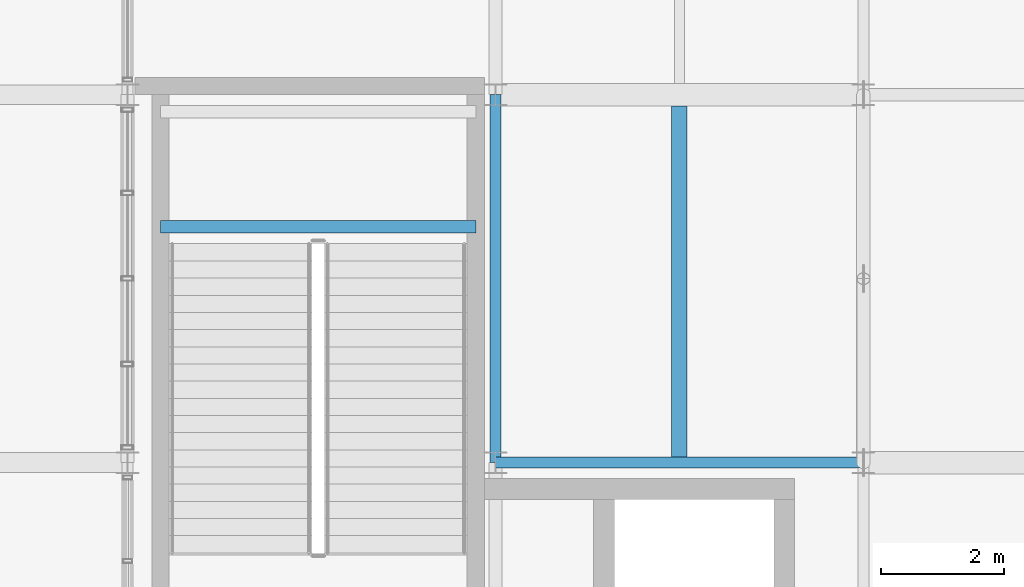
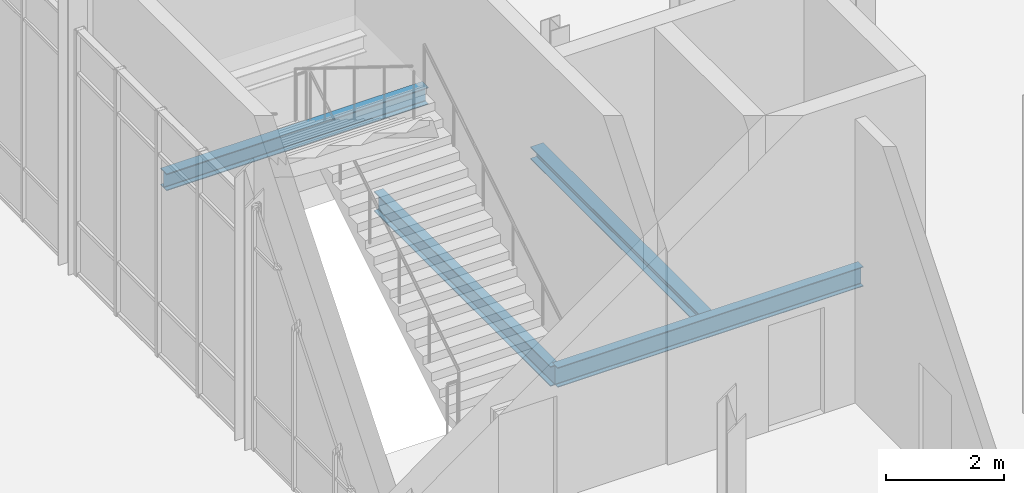
# One storey, part 73 of 140: 4 beams.
"""IFC4 building model written with IfcOpenShell, lengths in metres."""

from ifc_helpers import new_model, si_unit, direction, frame, origin, origin_2d, place, context, subcontext, project, spatial, i_section, extrude, material, material_profile, profile_set, type_object, element, save


model = new_model("IFC4")

# Units and contexts
model_context = context("Model", 3, precision=1e-05, world=origin(), true_north=direction((0.0, 1.0)))
body_context = subcontext(model_context, "Body", "Model", "MODEL_VIEW")
ifc_project = project(units=[si_unit("LENGTHUNIT", "METRE"), si_unit("AREAUNIT", "SQUARE_METRE"), si_unit("VOLUMEUNIT", "CUBIC_METRE"), si_unit("PLANEANGLEUNIT", "RADIAN"), si_unit("MASSUNIT", "GRAM", prefix="KILO")], contexts=[model_context])

# Site, building, storey
site_placement = place(None, origin())
site = spatial("IfcSite", under=ifc_project, at=site_placement, CompositionType="ELEMENT")
building_placement = place(site_placement, origin())
building = spatial("IfcBuilding", under=site, at=building_placement, Name="Verrall Gate Interchange", CompositionType="ELEMENT")
storey_placement = place(building_placement, origin())
storey = spatial("IfcBuildingStorey", under=building, at=storey_placement, Name="L01", CompositionType="ELEMENT", Elevation=0.0)

# Beams
ifc_material_1 = material(Name="Structural Steel CSA G40.21 350W", Category="steel")
ifc_material_profile_1 = material_profile(ifc_material_1, i_section(OverallWidth=0.178955078125, OverallDepth=0.409912109375, WebThickness=0.0087890625, FlangeThickness=0.014404296875, FilletRadius=0.011962890625, at=origin_2d()), Name="W410x67")
ifc_profile_set_1 = profile_set([ifc_material_profile_1], Name="Structural Steel CSA G40.21 350W")
beam_type_1 = type_object("IfcBeamType", Name="B-12 Structural Beam W410x67", PredefinedType="BEAM", material=ifc_profile_set_1)
for number, where, z_axis, x_axis, name in (
    (1, (138.0, 22.0, -0.705078125), (1.0, 0.0, 0.0), (0.0, 1.0, 0.0), "L01 Girder BM-L01-0820 (B-12)"),
    (2, (138.0, 22.0, -0.705078125), (0.0, 1.0, 0.0), (-1.0, 0.0, 0.0), "L01 Girder BM-L01-1205 (B-12)"),
):
    element("IfcBeam", number, at=place(storey_placement, frame(where, z_axis=z_axis, x_axis=x_axis)), inside=storey, type_object=beam_type_1, Name=name, PredefinedType="BEAM", context=body_context, shape_type="SweptSolid", body=[
        extrude(i_section(OverallWidth=0.178955078125, OverallDepth=0.409912109375, WebThickness=0.0087890625, FlangeThickness=0.014404296875, FilletRadius=0.011962890625, at=origin_2d()), origin(), (0.0, 0.0, 1.0), 6.0),
    ])
ifc_material_2 = material(Name="Structural Steel CSA G40.21 350W", Category="steel")
ifc_material_profile_2 = material_profile(ifc_material_2, i_section(OverallWidth=0.205078125, OverallDepth=0.35400390625, WebThickness=0.009521484375, FlangeThickness=0.016845703125, FilletRadius=0.012939453125, at=origin_2d()), Name="W360x79")
ifc_profile_set_2 = profile_set([ifc_material_profile_2], Name="Structural Steel CSA G40.21 350W")
beam_type_2 = type_object("IfcBeamType", Name="B-14 Structural Beam W360x79", PredefinedType="BEAM", material=ifc_profile_set_2)
beam_1_placement = place(storey_placement, frame((132.5400390625, 25.85009765625, 2.929931640625), z_axis=(1.0, 0.0, 0.0), x_axis=(0.0, 1.0, 0.0)))
element("IfcBeam", 3, at=beam_1_placement, inside=storey, type_object=beam_type_2, Name="L01 Core C8 Mid-Landing Beam 1", PredefinedType="BEAM", context=body_context, shape_type="SweptSolid", body=[
    extrude(i_section(OverallWidth=0.205078125, OverallDepth=0.35400390625, WebThickness=0.009521484375, FlangeThickness=0.016845703125, FilletRadius=0.012939453125, at=origin_2d()), origin(), (0.0, 0.0, 1.0), 5.139892578125),
])
ifc_material_3 = material(Name="Structural Steel CSA G40.21 350W", Category="steel")
ifc_material_profile_3 = material_profile(ifc_material_3, i_section(OverallWidth=0.25390625, OverallDepth=0.2529296875, WebThickness=0.008544921875, FlangeThickness=0.01416015625, FilletRadius=0.011962890625, at=origin_2d()), Name="W250x73")
ifc_profile_set_3 = profile_set([ifc_material_profile_3], Name="Structural Steel CSA G40.21 350W")
beam_type_3 = type_object("IfcBeamType", Name="J-05 Floor Joist W250x73", PredefinedType="JOIST", material=ifc_profile_set_3)
beam_2_placement = place(storey_placement, frame((141.0, 22.089599609375, -0.62646484375), z_axis=(0.0, 1.0, 0.0), x_axis=(-1.0, 0.0, 0.0)))
element("IfcBeam", 4, at=beam_2_placement, inside=storey, type_object=beam_type_3, Name="L01 Secondary Floor Joist JST-L01-1321", PredefinedType="JOIST", context=body_context, shape_type="SweptSolid", body=[
    extrude(i_section(OverallWidth=0.25390625, OverallDepth=0.2529296875, WebThickness=0.008544921875, FlangeThickness=0.01416015625, FilletRadius=0.011962890625, at=origin_2d()), origin(), (0.0, 0.0, 1.0), 5.725830078125),
])

save(model, "model.ifc")
